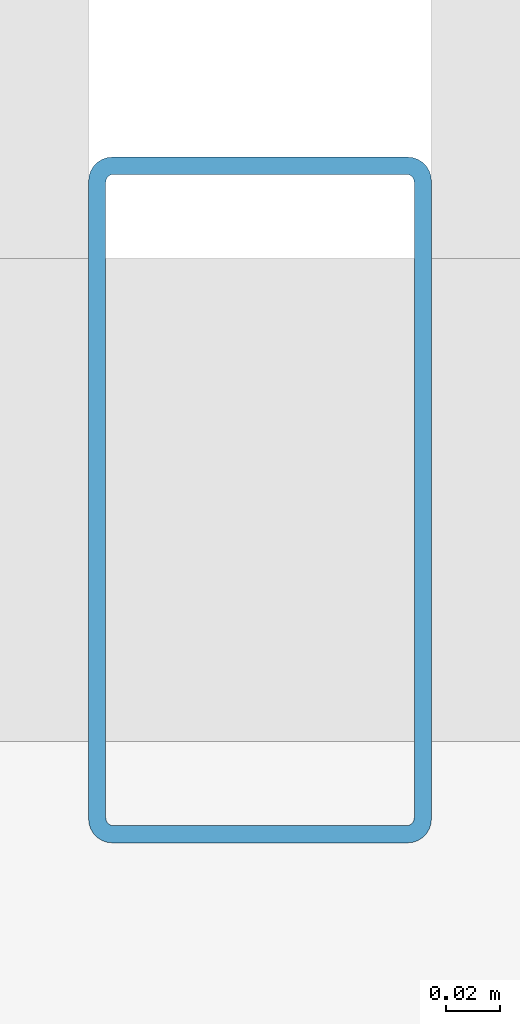
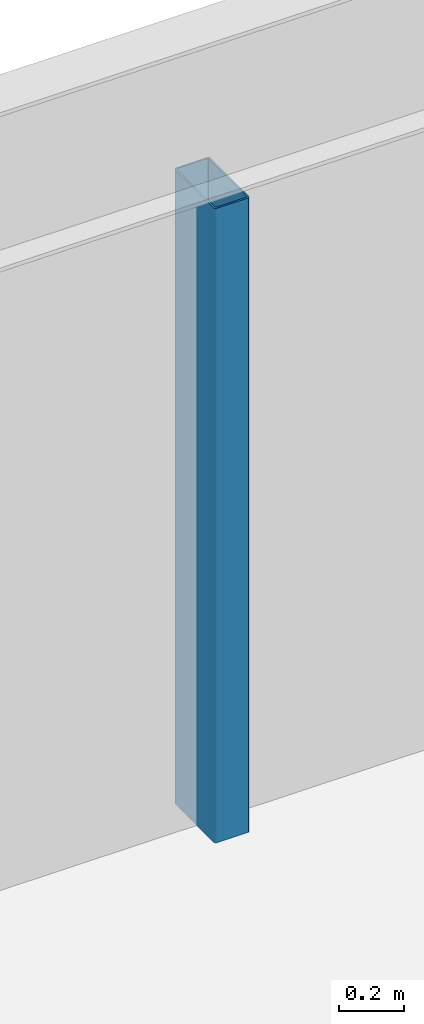
# One storey, part 16 of 46: 1 member.
"""IFC4 building model written with IfcOpenShell, lengths in metres."""

from ifc_helpers import new_model, si_unit, direction, frame, origin, origin_2d, place, context, subcontext, project, spatial, hollow_rectangle, extrude, material, material_profile, profile_set, type_object, element, save


model = new_model("IFC4")

# Units and contexts
model_context = context("Model", 3, precision=1e-05, world=origin(), true_north=direction((0.0, 1.0)))
body_context = subcontext(model_context, "Body", "Model", "MODEL_VIEW")
ifc_project = project(units=[si_unit("LENGTHUNIT", "METRE"), si_unit("AREAUNIT", "SQUARE_METRE"), si_unit("VOLUMEUNIT", "CUBIC_METRE"), si_unit("PLANEANGLEUNIT", "RADIAN"), si_unit("MASSUNIT", "GRAM", prefix="KILO")], contexts=[model_context])

# Site, building, storey
site_placement = place(None, origin())
site = spatial("IfcSite", under=ifc_project, at=site_placement, CompositionType="ELEMENT")
building_placement = place(site_placement, origin())
building = spatial("IfcBuilding", under=site, at=building_placement, Name="Madar Terraces", CompositionType="ELEMENT")
storey_placement = place(building_placement, frame((0.0, 0.0, 317.300048828125)))
storey = spatial("IfcBuildingStorey", under=building, at=storey_placement, Name="L82", CompositionType="ELEMENT", Elevation=317.300048828125)

# Member
ifc_material = material(Name="Steel ASTM A500 Grade C", Category="steel")
ifc_material_profile = material_profile(ifc_material, hollow_rectangle(XDim=0.126953125, YDim=0.25390625, WallThickness=0.00634765625, InnerFilletRadius=0.0029296875, OuterFilletRadius=0.0087890625, at=origin_2d()), Name="HSS10x5x.25")
ifc_profile_set = profile_set([ifc_material_profile], Name="Steel ASTM A500 Grade C")
member_type = type_object("IfcMemberType", Name="LS2 HSS10x5x.25", PredefinedType="POST", material=ifc_profile_set)
member_placement = place(storey_placement, frame((10.56005859375, 46.800048828125, 0.0), z_axis=(0.0, 0.0, 1.0), x_axis=(-1.0, 0.0, 0.0)))
element("IfcMember", 1, at=member_placement, inside=storey, type_object=member_type, Name="Crown louvre post LS2", PredefinedType="POST", context=body_context, shape_type="SweptSolid", body=[
    extrude(hollow_rectangle(XDim=0.126953125, YDim=0.25390625, WallThickness=0.00634765625, InnerFilletRadius=0.0029296875, OuterFilletRadius=0.0087890625, at=origin_2d()), origin(), (0.0, 0.0, 1.0), 2.39794921875),
])

save(model, "model.ifc")
